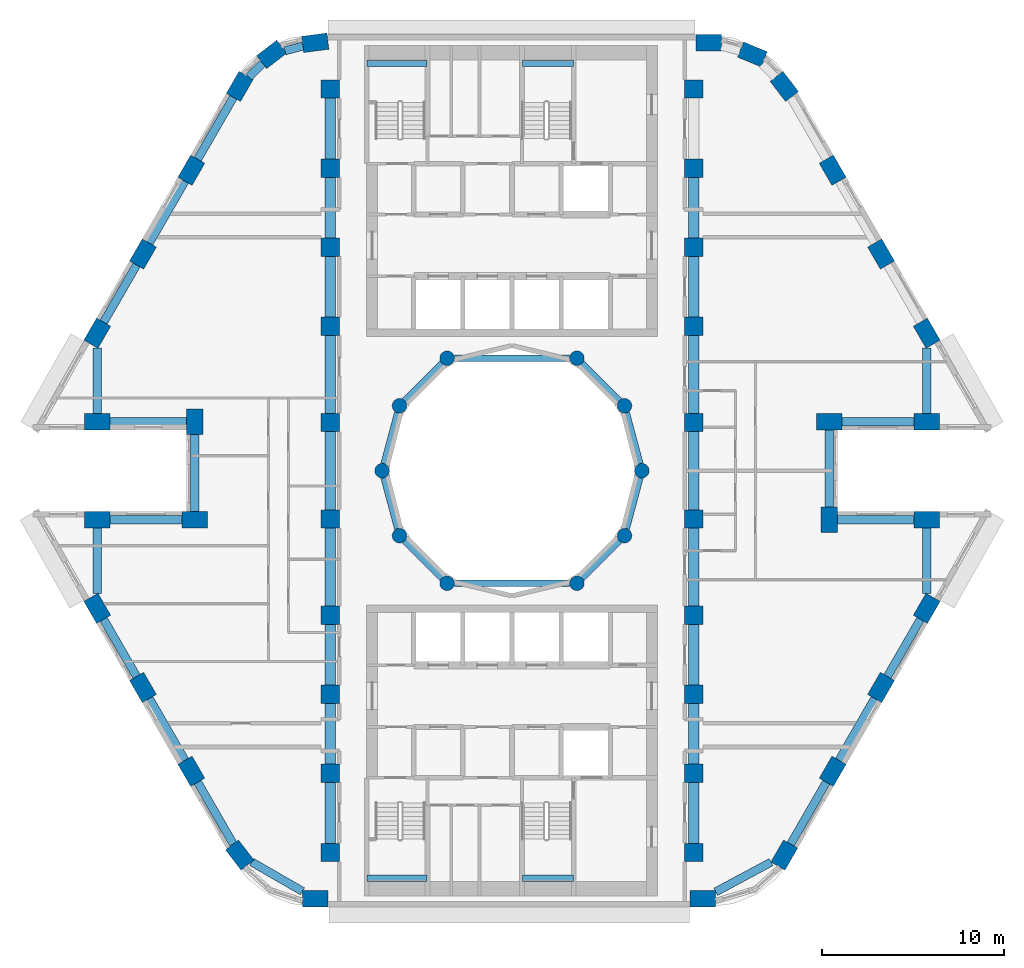
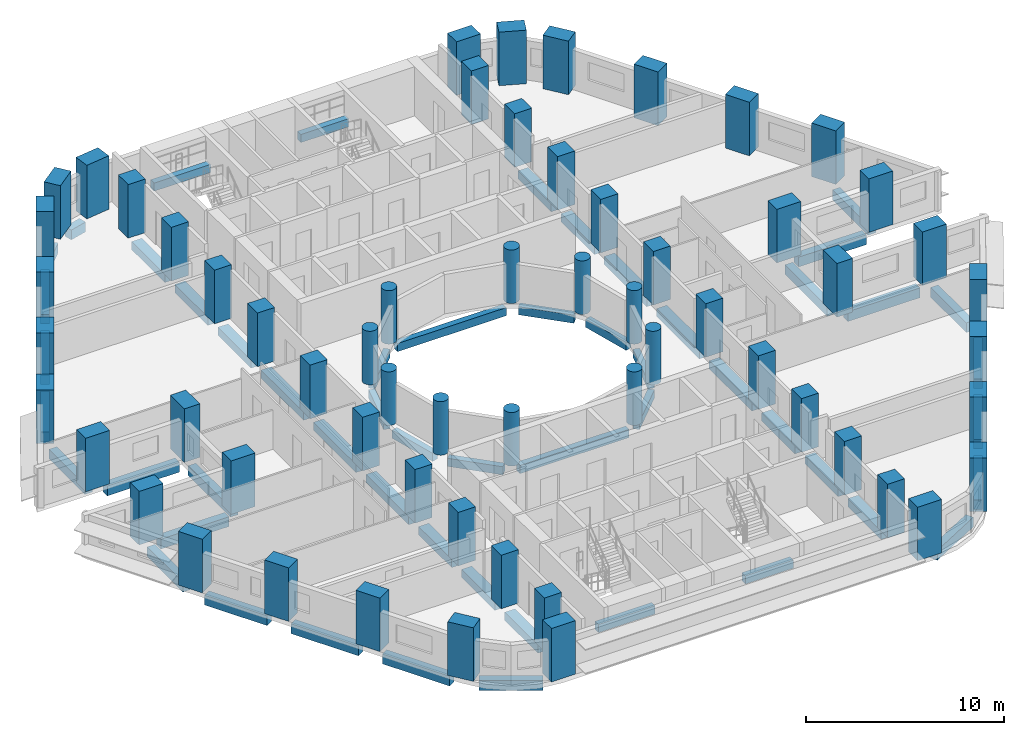
# One storey, part 1 of 12: 60 columns, 54 beams.
"""IFC4 building model written with IfcOpenShell, lengths in metres."""

from ifc_helpers import new_model, si_unit, direction, frame, origin, origin_2d, place, context, subcontext, project, spatial, rectangle, circle, extrude, material, material_profile, profile_set, type_object, element, save


model = new_model("IFC4")

# Units and contexts
model_context = context("Model", 3, precision=1e-05, world=origin(), true_north=direction((0.0, 1.0)))
body_context = subcontext(model_context, "Body", "Model", "MODEL_VIEW")
ifc_project = project(units=[si_unit("LENGTHUNIT", "METRE"), si_unit("AREAUNIT", "SQUARE_METRE"), si_unit("VOLUMEUNIT", "CUBIC_METRE"), si_unit("PLANEANGLEUNIT", "RADIAN"), si_unit("MASSUNIT", "GRAM", prefix="KILO")], contexts=[model_context])

# Site, building, storey
site_placement = place(None, origin())
site = spatial("IfcSite", under=ifc_project, at=site_placement, CompositionType="ELEMENT")
building_placement = place(site_placement, origin())
building = spatial("IfcBuilding", under=site, at=building_placement, Name="Nakaniwa Court", CompositionType="ELEMENT")
storey_placement = place(building_placement, frame((0.0, 0.0, 94.199951171875)))
storey = spatial("IfcBuildingStorey", under=building, at=storey_placement, Name="L24", CompositionType="ELEMENT", Elevation=94.199951171875)

# Columns
ifc_material = material(Name="Concrete C80/100", Category="concrete")
ifc_material_profile_1 = material_profile(ifc_material, rectangle(XDim=1.0, YDim=1.0, at=origin_2d()), Name="Concrete C80/100 RC 1000x1000 spine column")
ifc_profile_set_1 = profile_set([ifc_material_profile_1], Name="Concrete C80/100")
column_type_1 = type_object("IfcColumnType", Name="Concrete C80/100 RC 1000x1000 spine column", PredefinedType="COLUMN", material=ifc_profile_set_1)
for number, where, z_axis, x_axis, name in (
    (1, (90.0, 59.0, 0.0), (0.0, 0.0, 1.0), (0.0, 1.0, 0.0), "COLUMN CS-01"),
    (2, (90.0, 63.35009765625, 0.0), (0.0, 0.0, 1.0), (0.0, 1.0, 0.0), "COLUMN CS-02"),
    (3, (90.0, 67.699951171875, 0.0), (0.0, 0.0, 1.0), (0.0, 1.0, 0.0), "COLUMN CS-03"),
    (4, (90.0, 72.050048828125, 0.0), (0.0, 0.0, 1.0), (0.0, 1.0, 0.0), "COLUMN CS-04"),
    (5, (90.0, 77.35009765625, 0.0), (0.0, 0.0, 1.0), (0.0, 1.0, 0.0), "COLUMN CS-05"),
    (6, (90.0, 82.64990234375, 0.0), (0.0, 0.0, 1.0), (0.0, 1.0, 0.0), "COLUMN CS-06"),
    (7, (90.0, 87.949951171875, 0.0), (0.0, 0.0, 1.0), (0.0, 1.0, 0.0), "COLUMN CS-07"),
    (8, (90.0, 92.300048828125, 0.0), (0.0, 0.0, 1.0), (0.0, 1.0, 0.0), "COLUMN CS-08"),
    (9, (90.0, 96.64990234375, 0.0), (0.0, 0.0, 1.0), (0.0, 1.0, 0.0), "COLUMN CS-09"),
    (10, (90.0, 101.0, 0.0), (0.0, 0.0, 1.0), (0.0, 1.0, 0.0), "COLUMN CS-10"),
    (11, (70.0, 101.0, 0.0), (0.0, 0.0, 1.0), (0.0, -1.0, 0.0), "COLUMN CS-11"),
    (12, (70.0, 96.64990234375, 0.0), (0.0, 0.0, 1.0), (0.0, -1.0, 0.0), "COLUMN CS-12"),
    (13, (70.0, 92.300048828125, 0.0), (0.0, 0.0, 1.0), (0.0, -1.0, 0.0), "COLUMN CS-13"),
    (14, (70.0, 87.949951171875, 0.0), (0.0, 0.0, 1.0), (0.0, -1.0, 0.0), "COLUMN CS-14"),
    (15, (70.0, 82.64990234375, 0.0), (0.0, 0.0, 1.0), (0.0, -1.0, 0.0), "COLUMN CS-15"),
    (16, (70.0, 77.35009765625, 0.0), (0.0, 0.0, 1.0), (0.0, -1.0, 0.0), "COLUMN CS-16"),
    (17, (70.0, 72.050048828125, 0.0), (0.0, 0.0, 1.0), (0.0, -1.0, 0.0), "COLUMN CS-17"),
    (18, (70.0, 67.699951171875, 0.0), (0.0, 0.0, 1.0), (0.0, -1.0, 0.0), "COLUMN CS-18"),
    (19, (70.0, 63.35009765625, 0.0), (0.0, 0.0, 1.0), (0.0, -1.0, 0.0), "COLUMN CS-19"),
    (20, (70.0, 59.0, 0.0), (0.0, 0.0, 1.0), (0.0, -1.0, 0.0), "COLUMN CS-20"),
):
    element("IfcColumn", number, at=place(storey_placement, frame(where, z_axis=z_axis, x_axis=x_axis)), inside=storey, type_object=column_type_1, Name=name, PredefinedType="COLUMN", context=body_context, shape_type="SweptSolid", body=[
        extrude(rectangle(XDim=1.0, YDim=1.0, at=origin_2d()), origin(), (0.0, 0.0, 1.0), 3.300048828125),
    ])
ifc_material_profile_2 = material_profile(ifc_material, rectangle(XDim=1.39990234375, YDim=0.89990234375, at=origin_2d()), Name="Concrete C80/100 RC 1400x900 perimeter column")
ifc_profile_set_2 = profile_set([ifc_material_profile_2], Name="Concrete C80/100")
column_type_2 = type_object("IfcColumnType", Name="Concrete C80/100 RC 1400x900 perimeter column", PredefinedType="COLUMN", material=ifc_profile_set_2)
for number, where, z_axis, x_axis, name in (
    (21, (69.17529296875, 103.550048828125, 0.0), (0.0, 0.0, 1.0), (-0.991442583111, -0.130543496177, 0.0), "COLUMN CO-01"),
    (22, (66.772705078125, 102.91015625, 0.0), (0.0, 0.0, 1.0), (-0.793363965062, -0.608747582288, 0.0), "COLUMN CO-02"),
    (23, (65.017578125, 101.1494140625, 0.0), (0.0, 0.0, 1.0), (-0.5, -0.866025403784, 0.0), "COLUMN CO-03"),
    (24, (62.3544921875, 96.537109375, 0.0), (0.0, 0.0, 1.0), (-0.5, -0.866025403784, 0.0), "COLUMN CO-04"),
    (25, (59.691650390625, 91.9248046875, 0.0), (0.0, 0.0, 1.0), (-0.5, -0.866025403784, 0.0), "COLUMN CO-05"),
    (26, (57.177001953125, 87.569580078125, 0.0), (0.0, 0.0, 1.0), (-0.5, -0.866025403784, 0.0), "COLUMN CO-06"),
    (27, (57.177001953125, 82.699951171875, 0.0), (0.0, 0.0, 1.0), (1.0, 0.0, 0.0), "COLUMN CO-08"),
    (28, (62.54150390625, 82.699951171875, 0.0), (0.0, 0.0, 1.0), (0.0, -1.0, 0.0), "COLUMN CO-09"),
    (29, (62.54150390625, 77.300048828125, 0.0), (0.0, 0.0, 1.0), (-1.0, 0.0, 0.0), "COLUMN CO-10"),
    (30, (57.177001953125, 77.300048828125, 0.0), (0.0, 0.0, 1.0), (-1.0, 0.0, 0.0), "COLUMN CO-11"),
    (31, (57.177001953125, 72.430419921875, 0.0), (0.0, 0.0, 1.0), (0.5, -0.866025403784, 0.0), "COLUMN CO-13"),
    (32, (59.691650390625, 68.0751953125, 0.0), (0.0, 0.0, 1.0), (0.5, -0.866025403784, 0.0), "COLUMN CO-14"),
    (33, (62.3544921875, 63.462890625, 0.0), (0.0, 0.0, 1.0), (0.5, -0.866025403784, 0.0), "COLUMN CO-15"),
    (34, (65.017578125, 58.8505859375, 0.0), (0.0, 0.0, 1.0), (0.608761429009, -0.793353340291, 0.0), "COLUMN CO-16"),
    (35, (69.17529296875, 56.449951171875, 0.0), (0.0, 0.0, 1.0), (1.0, 0.0, 0.0), "COLUMN CO-17"),
    (36, (90.507080078125, 56.449951171875, 0.0), (0.0, 0.0, 1.0), (1.0, 0.0, 0.0), "COLUMN CO-21"),
    (37, (94.982421875, 58.8505859375, 0.0), (0.0, 0.0, 1.0), (0.5, 0.866025403784, 0.0), "COLUMN CO-22"),
    (38, (97.6455078125, 63.462890625, 0.0), (0.0, 0.0, 1.0), (0.5, 0.866025403784, 0.0), "COLUMN CO-23"),
    (39, (100.308349609375, 68.0751953125, 0.0), (0.0, 0.0, 1.0), (0.5, 0.866025403784, 0.0), "COLUMN CO-24"),
    (40, (102.822998046875, 72.430419921875, 0.0), (0.0, 0.0, 1.0), (0.5, 0.866025403784, 0.0), "COLUMN CO-25"),
    (41, (102.822998046875, 77.300048828125, 0.0), (0.0, 0.0, 1.0), (-1.0, 0.0, 0.0), "COLUMN CO-27"),
    (42, (97.45849609375, 77.300048828125, 0.0), (0.0, 0.0, 1.0), (0.0, 1.0, 0.0), "COLUMN CO-28"),
    (43, (97.45849609375, 82.699951171875, 0.0), (0.0, 0.0, 1.0), (1.0, 0.0, 0.0), "COLUMN CO-29"),
    (44, (102.822998046875, 82.699951171875, 0.0), (0.0, 0.0, 1.0), (1.0, 0.0, 0.0), "COLUMN CO-30"),
    (45, (102.822998046875, 87.569580078125, 0.0), (0.0, 0.0, 1.0), (-0.5, 0.866025403784, 0.0), "COLUMN CO-32"),
    (46, (100.308349609375, 91.9248046875, 0.0), (0.0, 0.0, 1.0), (-0.5, 0.866025403784, 0.0), "COLUMN CO-33"),
    (47, (97.6455078125, 96.537109375, 0.0), (0.0, 0.0, 1.0), (-0.5, 0.866025403784, 0.0), "COLUMN CO-34"),
    (48, (94.982421875, 101.1494140625, 0.0), (0.0, 0.0, 1.0), (-0.608761429009, 0.793353340291, 0.0), "COLUMN CO-35"),
    (49, (93.227294921875, 102.91015625, 0.0), (0.0, 0.0, 1.0), (-0.923879532511, 0.382683432365, 0.0), "COLUMN CO-36"),
    (50, (90.82470703125, 103.550048828125, 0.0), (0.0, 0.0, 1.0), (-1.0, 0.0, 0.0), "COLUMN CO-37"),
):
    element("IfcColumn", number, at=place(storey_placement, frame(where, z_axis=z_axis, x_axis=x_axis)), inside=storey, type_object=column_type_2, Name=name, PredefinedType="COLUMN", context=body_context, shape_type="SweptSolid", body=[
        extrude(rectangle(XDim=1.39990234375, YDim=0.89990234375, at=origin_2d()), origin(), (0.0, 0.0, 1.0), 3.300048828125),
    ])
ifc_material_profile_3 = material_profile(ifc_material, circle(Radius=0.39990234375, at=origin_2d()), Name="Concrete C80/100 RC D800 inner ring column")
ifc_profile_set_3 = profile_set([ifc_material_profile_3], Name="Concrete C80/100")
column_type_3 = type_object("IfcColumnType", Name="Concrete C80/100 RC D800 inner ring column", PredefinedType="COLUMN", material=ifc_profile_set_3)
for number, where, z_axis, x_axis, name in (
    (51, (87.14990234375, 80.0, 0.0), (0.0, 0.0, 1.0), (0.0, 1.0, 0.0), "COLUMN CI-01"),
    (52, (86.192138671875, 83.574951171875, 0.0), (0.0, 0.0, 1.0), (-0.5, 0.866025403784, 0.0), "COLUMN CI-02"),
    (53, (83.574951171875, 86.192138671875, 0.0), (0.0, 0.0, 1.0), (-0.866025403784, 0.5, 0.0), "COLUMN CI-03"),
    (54, (76.425048828125, 86.192138671875, 0.0), (0.0, 0.0, 1.0), (-0.866025403784, -0.5, 0.0), "COLUMN CI-05"),
    (55, (73.807861328125, 83.574951171875, 0.0), (0.0, 0.0, 1.0), (-0.5, -0.866025403784, 0.0), "COLUMN CI-06"),
    (56, (72.85009765625, 80.0, 0.0), (0.0, 0.0, 1.0), (0.0, -1.0, 0.0), "COLUMN CI-07"),
    (57, (73.807861328125, 76.425048828125, 0.0), (0.0, 0.0, 1.0), (0.5, -0.866025403784, 0.0), "COLUMN CI-08"),
    (58, (76.425048828125, 73.807861328125, 0.0), (0.0, 0.0, 1.0), (0.866025403784, -0.5, 0.0), "COLUMN CI-09"),
    (59, (83.574951171875, 73.807861328125, 0.0), (0.0, 0.0, 1.0), (0.866025403784, 0.5, 0.0), "COLUMN CI-11"),
    (60, (86.192138671875, 76.425048828125, 0.0), (0.0, 0.0, 1.0), (0.5, 0.866025403784, 0.0), "COLUMN CI-12"),
):
    element("IfcColumn", number, at=place(storey_placement, frame(where, z_axis=z_axis, x_axis=x_axis)), inside=storey, type_object=column_type_3, Name=name, PredefinedType="COLUMN", context=body_context, shape_type="SweptSolid", body=[
        extrude(circle(Radius=0.39990234375, at=origin_2d()), origin(), (0.0, 0.0, 1.0), 3.300048828125),
    ])

# Beams
ifc_material_profile_4 = material_profile(ifc_material, rectangle(XDim=0.35009765625, YDim=0.5, at=origin_2d()), Name="Concrete C80/100 RC 350x500 landing ledge beam")
ifc_profile_set_4 = profile_set([ifc_material_profile_4], Name="Concrete C80/100")
beam_type_1 = type_object("IfcBeamType", Name="Concrete C80/100 RC 350x500 landing ledge beam", PredefinedType="BEAM", material=ifc_profile_set_4)
beam_1_placement = place(storey_placement, frame((72.02490234375, 102.425048828125, 1.199951171875), z_axis=(1.0, 0.0, 0.0), x_axis=(0.0, 1.0, 0.0)))
element("IfcBeam", 61, at=beam_1_placement, inside=storey, type_object=beam_type_1, Name="LANDING LEDGE BEAM", PredefinedType="BEAM", context=body_context, shape_type="SweptSolid", body=[
    extrude(rectangle(XDim=0.35009765625, YDim=0.5, at=origin_2d()), origin(), (0.0, 0.0, 1.0), 3.300048828125),
])
beam_2_placement = place(storey_placement, frame((80.574951171875, 102.425048828125, 1.199951171875), z_axis=(1.0, 0.0, 0.0), x_axis=(0.0, 1.0, 0.0)))
element("IfcBeam", 62, at=beam_2_placement, inside=storey, type_object=beam_type_1, Name="LANDING LEDGE BEAM", PredefinedType="BEAM", context=body_context, shape_type="SweptSolid", body=[
    extrude(rectangle(XDim=0.35009765625, YDim=0.5, at=origin_2d()), origin(), (0.0, 0.0, 1.0), 2.800048828125),
])
beam_3_placement = place(storey_placement, frame((72.02490234375, 57.574951171875, 1.199951171875), z_axis=(1.0, 0.0, 0.0), x_axis=(0.0, 1.0, 0.0)))
element("IfcBeam", 63, at=beam_3_placement, inside=storey, type_object=beam_type_1, Name="LANDING LEDGE BEAM", PredefinedType="BEAM", context=body_context, shape_type="SweptSolid", body=[
    extrude(rectangle(XDim=0.35009765625, YDim=0.5, at=origin_2d()), origin(), (0.0, 0.0, 1.0), 3.300048828125),
])
beam_4_placement = place(storey_placement, frame((80.574951171875, 57.574951171875, 1.199951171875), z_axis=(1.0, 0.0, 0.0), x_axis=(0.0, 1.0, 0.0)))
element("IfcBeam", 64, at=beam_4_placement, inside=storey, type_object=beam_type_1, Name="LANDING LEDGE BEAM", PredefinedType="BEAM", context=body_context, shape_type="SweptSolid", body=[
    extrude(rectangle(XDim=0.35009765625, YDim=0.5, at=origin_2d()), origin(), (0.0, 0.0, 1.0), 2.800048828125),
])
ifc_material_profile_5 = material_profile(ifc_material, rectangle(XDim=0.35009765625, YDim=0.5, at=origin_2d()), Name="Concrete C80/100 RC 350x500 ring beam")
ifc_profile_set_5 = profile_set([ifc_material_profile_5], Name="Concrete C80/100")
beam_type_2 = type_object("IfcBeamType", Name="Concrete C80/100 RC 350x500 ring beam", PredefinedType="BEAM", material=ifc_profile_set_5)
beam_5_placement = place(storey_placement, frame((87.04638671875, 80.386474609375, -0.52490234375), z_axis=(-0.258778150207, 0.965936783115, 0.0), x_axis=(-0.965936783115, -0.258778150207, 0.0)))
element("IfcBeam", 65, at=beam_5_placement, inside=storey, type_object=beam_type_2, Name="RING BEAM", PredefinedType="BEAM", context=body_context, shape_type="SweptSolid", body=[
    extrude(rectangle(XDim=0.35009765625, YDim=0.5, at=origin_2d()), origin(), (0.0, 0.0, 1.0), 2.901123046875),
])
beam_6_placement = place(storey_placement, frame((85.9091796875, 83.85791015625, -0.52490234375), z_axis=(-0.707106781187, 0.707106781187, 0.0), x_axis=(-0.707106781187, -0.707106781187, 0.0)))
element("IfcBeam", 66, at=beam_6_placement, inside=storey, type_object=beam_type_2, Name="RING BEAM", PredefinedType="BEAM", context=body_context, shape_type="SweptSolid", body=[
    extrude(rectangle(XDim=0.35009765625, YDim=0.5, at=origin_2d()), origin(), (0.0, 0.0, 1.0), 2.90087890625),
])
beam_7_placement = place(storey_placement, frame((83.175048828125, 86.192138671875, -0.52490234375), z_axis=(-1.0, 0.0, 0.0), x_axis=(0.0, -1.0, 0.0)))
element("IfcBeam", 67, at=beam_7_placement, inside=storey, type_object=beam_type_2, Name="RING BEAM", PredefinedType="BEAM", context=body_context, shape_type="SweptSolid", body=[
    extrude(rectangle(XDim=0.35009765625, YDim=0.5, at=origin_2d()), origin(), (0.0, 0.0, 1.0), 6.35009765625),
])
beam_8_placement = place(storey_placement, frame((76.14208984375, 85.9091796875, -0.52490234375), z_axis=(-0.707106781187, -0.707106781187, 0.0), x_axis=(0.707106781187, -0.707106781187, 0.0)))
element("IfcBeam", 68, at=beam_8_placement, inside=storey, type_object=beam_type_2, Name="RING BEAM", PredefinedType="BEAM", context=body_context, shape_type="SweptSolid", body=[
    extrude(rectangle(XDim=0.35009765625, YDim=0.5, at=origin_2d()), origin(), (0.0, 0.0, 1.0), 2.90087890625),
])
for number, where, z_axis, x_axis, name in (
    (69, (73.704345703125, 83.188720703125, -0.52490234375), (-0.258778150207, -0.965936783115, 0.0), (0.965936783115, -0.258778150207, 0.0), "RING BEAM"),
    (70, (72.95361328125, 79.613525390625, -0.52490234375), (0.258778150207, -0.965936783115, 0.0), (0.965936783115, 0.258778150207, 0.0), "RING BEAM"),
):
    element("IfcBeam", number, at=place(storey_placement, frame(where, z_axis=z_axis, x_axis=x_axis)), inside=storey, type_object=beam_type_2, Name=name, PredefinedType="BEAM", context=body_context, shape_type="SweptSolid", body=[
        extrude(rectangle(XDim=0.35009765625, YDim=0.5, at=origin_2d()), origin(), (0.0, 0.0, 1.0), 2.901123046875),
    ])
beam_9_placement = place(storey_placement, frame((74.0908203125, 76.14208984375, -0.52490234375), z_axis=(0.707106781187, -0.707106781187, 0.0), x_axis=(0.707106781187, 0.707106781187, 0.0)))
element("IfcBeam", 71, at=beam_9_placement, inside=storey, type_object=beam_type_2, Name="RING BEAM", PredefinedType="BEAM", context=body_context, shape_type="SweptSolid", body=[
    extrude(rectangle(XDim=0.35009765625, YDim=0.5, at=origin_2d()), origin(), (0.0, 0.0, 1.0), 2.90087890625),
])
beam_10_placement = place(storey_placement, frame((76.824951171875, 73.807861328125, -0.52490234375), z_axis=(1.0, 0.0, 0.0), x_axis=(0.0, 1.0, 0.0)))
element("IfcBeam", 72, at=beam_10_placement, inside=storey, type_object=beam_type_2, Name="RING BEAM", PredefinedType="BEAM", context=body_context, shape_type="SweptSolid", body=[
    extrude(rectangle(XDim=0.35009765625, YDim=0.5, at=origin_2d()), origin(), (0.0, 0.0, 1.0), 6.35009765625),
])
beam_11_placement = place(storey_placement, frame((83.85791015625, 74.0908203125, -0.52490234375), z_axis=(0.707106781187, 0.707106781187, 0.0), x_axis=(-0.707106781187, 0.707106781187, 0.0)))
element("IfcBeam", 73, at=beam_11_placement, inside=storey, type_object=beam_type_2, Name="RING BEAM", PredefinedType="BEAM", context=body_context, shape_type="SweptSolid", body=[
    extrude(rectangle(XDim=0.35009765625, YDim=0.5, at=origin_2d()), origin(), (0.0, 0.0, 1.0), 2.90087890625),
])
beam_12_placement = place(storey_placement, frame((86.295654296875, 76.811279296875, -0.52490234375), z_axis=(0.258778150207, 0.965936783115, 0.0), x_axis=(-0.965936783115, 0.258778150207, 0.0)))
element("IfcBeam", 74, at=beam_12_placement, inside=storey, type_object=beam_type_2, Name="RING BEAM", PredefinedType="BEAM", context=body_context, shape_type="SweptSolid", body=[
    extrude(rectangle(XDim=0.35009765625, YDim=0.5, at=origin_2d()), origin(), (0.0, 0.0, 1.0), 2.901123046875),
])
ifc_material_profile_6 = material_profile(ifc_material, rectangle(XDim=0.449951171875, YDim=0.60009765625, at=origin_2d()), Name="Concrete C80/100 RC 450x600 spandrel beam")
ifc_profile_set_6 = profile_set([ifc_material_profile_6], Name="Concrete C80/100")
beam_type_3 = type_object("IfcBeamType", Name="Concrete C80/100 RC 450x600 spandrel beam", PredefinedType="BEAM", material=ifc_profile_set_6)
beam_13_placement = place(storey_placement, frame((68.4931640625, 103.368408203125, -0.574951171875), z_axis=(-0.966290412053, -0.257454538851, 0.0), x_axis=(0.257454538851, -0.966290412053, 0.0)))
element("IfcBeam", 75, at=beam_13_placement, inside=storey, type_object=beam_type_3, Name="SPANDREL BEAM", PredefinedType="BEAM", context=body_context, shape_type="SweptSolid", body=[
    extrude(rectangle(XDim=0.449951171875, YDim=0.60009765625, at=origin_2d()), origin(), (0.0, 0.0, 1.0), 1.022216796875),
])
beam_14_placement = place(storey_placement, frame((66.274169921875, 102.41015625, -0.574951171875), z_axis=(-0.70606530329, -0.708146727374, 0.0), x_axis=(0.708146727374, -0.70606530329, 0.0)))
element("IfcBeam", 76, at=beam_14_placement, inside=storey, type_object=beam_type_3, Name="SPANDREL BEAM", PredefinedType="BEAM", context=body_context, shape_type="SweptSolid", body=[
    extrude(rectangle(XDim=0.449951171875, YDim=0.60009765625, at=origin_2d()), origin(), (0.0, 0.0, 1.0), 1.0556640625),
])
for number, where, z_axis, x_axis, name in (
    (77, (64.66748046875, 100.543212890625, -0.574951171875), (-0.49999161165, -0.866030246746, 0.0), (0.866030246746, -0.49999161165, 0.0), "SPANDREL BEAM"),
    (78, (62.00439453125, 95.930908203125, -0.574951171875), (-0.49999161165, -0.866030246746, 0.0), (0.866030246746, -0.49999161165, 0.0), "SPANDREL BEAM"),
):
    element("IfcBeam", number, at=place(storey_placement, frame(where, z_axis=z_axis, x_axis=x_axis)), inside=storey, type_object=beam_type_3, Name=name, PredefinedType="BEAM", context=body_context, shape_type="SweptSolid", body=[
        extrude(rectangle(XDim=0.449951171875, YDim=0.60009765625, at=origin_2d()), origin(), (0.0, 0.0, 1.0), 3.92578125),
    ])
beam_15_placement = place(storey_placement, frame((59.341552734375, 91.318603515625, -0.574951171875), z_axis=(-0.499988394233, -0.866032104273, 0.0), x_axis=(0.866032104273, -0.499988394233, 0.0)))
element("IfcBeam", 79, at=beam_15_placement, inside=storey, type_object=beam_type_3, Name="SPANDREL BEAM", PredefinedType="BEAM", context=body_context, shape_type="SweptSolid", body=[
    extrude(rectangle(XDim=0.449951171875, YDim=0.60009765625, at=origin_2d()), origin(), (0.0, 0.0, 1.0), 3.62890625),
])
beam_16_placement = place(storey_placement, frame((57.177001953125, 86.761474609375, -0.574951171875), z_axis=(0.0, -1.0, 0.0), x_axis=(1.0, 0.0, 0.0)))
element("IfcBeam", 80, at=beam_16_placement, inside=storey, type_object=beam_type_3, Name="SPANDREL BEAM", PredefinedType="BEAM", context=body_context, shape_type="SweptSolid", body=[
    extrude(rectangle(XDim=0.449951171875, YDim=0.60009765625, at=origin_2d()), origin(), (0.0, 0.0, 1.0), 3.611572265625),
])
beam_17_placement = place(storey_placement, frame((57.877197265625, 82.699951171875, -0.574951171875), z_axis=(1.0, 0.0, 0.0), x_axis=(0.0, 1.0, 0.0)))
element("IfcBeam", 81, at=beam_17_placement, inside=storey, type_object=beam_type_3, Name="SPANDREL BEAM", PredefinedType="BEAM", context=body_context, shape_type="SweptSolid", body=[
    extrude(rectangle(XDim=0.449951171875, YDim=0.60009765625, at=origin_2d()), origin(), (0.0, 0.0, 1.0), 4.21435546875),
])
beam_18_placement = place(storey_placement, frame((62.54150390625, 82.0, -0.574951171875), z_axis=(0.0, -1.0, 0.0), x_axis=(1.0, 0.0, 0.0)))
element("IfcBeam", 82, at=beam_18_placement, inside=storey, type_object=beam_type_3, Name="SPANDREL BEAM", PredefinedType="BEAM", context=body_context, shape_type="SweptSolid", body=[
    extrude(rectangle(XDim=0.449951171875, YDim=0.60009765625, at=origin_2d()), origin(), (0.0, 0.0, 1.0), 4.25),
])
beam_19_placement = place(storey_placement, frame((61.841552734375, 77.300048828125, -0.574951171875), z_axis=(-1.0, 0.0, 0.0), x_axis=(0.0, -1.0, 0.0)))
element("IfcBeam", 83, at=beam_19_placement, inside=storey, type_object=beam_type_3, Name="SPANDREL BEAM", PredefinedType="BEAM", context=body_context, shape_type="SweptSolid", body=[
    extrude(rectangle(XDim=0.449951171875, YDim=0.60009765625, at=origin_2d()), origin(), (0.0, 0.0, 1.0), 3.96435546875),
])
beam_20_placement = place(storey_placement, frame((57.177001953125, 76.85009765625, -0.574951171875), z_axis=(0.0, -1.0, 0.0), x_axis=(1.0, 0.0, 0.0)))
element("IfcBeam", 84, at=beam_20_placement, inside=storey, type_object=beam_type_3, Name="SPANDREL BEAM", PredefinedType="BEAM", context=body_context, shape_type="SweptSolid", body=[
    extrude(rectangle(XDim=0.449951171875, YDim=0.60009765625, at=origin_2d()), origin(), (0.0, 0.0, 1.0), 3.611572265625),
])
beam_21_placement = place(storey_placement, frame((57.527099609375, 71.82421875, -0.574951171875), z_axis=(0.499988394233, -0.866032104273, 0.0), x_axis=(0.866032104273, 0.499988394233, 0.0)))
element("IfcBeam", 85, at=beam_21_placement, inside=storey, type_object=beam_type_3, Name="SPANDREL BEAM", PredefinedType="BEAM", context=body_context, shape_type="SweptSolid", body=[
    extrude(rectangle(XDim=0.449951171875, YDim=0.60009765625, at=origin_2d()), origin(), (0.0, 0.0, 1.0), 3.62890625),
])
beam_22_placement = place(storey_placement, frame((60.04150390625, 67.468994140625, -0.574951171875), z_axis=(0.49999161165, -0.866030246746, 0.0), x_axis=(0.866030246746, 0.49999161165, 0.0)))
element("IfcBeam", 86, at=beam_22_placement, inside=storey, type_object=beam_type_3, Name="SPANDREL BEAM", PredefinedType="BEAM", context=body_context, shape_type="SweptSolid", body=[
    extrude(rectangle(XDim=0.449951171875, YDim=0.60009765625, at=origin_2d()), origin(), (0.0, 0.0, 1.0), 3.92578125),
])
beam_23_placement = place(storey_placement, frame((62.70458984375, 62.856689453125, -0.574951171875), z_axis=(0.499997407846, -0.86602690036, 0.0), x_axis=(0.86602690036, 0.499997407846, 0.0)))
element("IfcBeam", 87, at=beam_23_placement, inside=storey, type_object=beam_type_3, Name="SPANDREL BEAM", PredefinedType="BEAM", context=body_context, shape_type="SweptSolid", body=[
    extrude(rectangle(XDim=0.449951171875, YDim=0.60009765625, at=origin_2d()), origin(), (0.0, 0.0, 1.0), 3.919921875),
])
beam_24_placement = place(storey_placement, frame((65.673583984375, 58.4716796875, -0.574951171875), z_axis=(0.866014675542, -0.5000185814, 0.0), x_axis=(0.5000185814, 0.866014675542, 0.0)))
element("IfcBeam", 88, at=beam_24_placement, inside=storey, type_object=beam_type_3, Name="SPANDREL BEAM", PredefinedType="BEAM", context=body_context, shape_type="SweptSolid", body=[
    extrude(rectangle(XDim=0.449951171875, YDim=0.60009765625, at=origin_2d()), origin(), (0.0, 0.0, 1.0), 3.2353515625),
])
beam_25_placement = place(storey_placement, frame((91.20703125, 56.825439453125, -0.574951171875), z_axis=(0.881233381314, 0.472681423009, 0.0), x_axis=(-0.472681423009, 0.881233381314, 0.0)))
element("IfcBeam", 89, at=beam_25_placement, inside=storey, type_object=beam_type_3, Name="SPANDREL BEAM", PredefinedType="BEAM", context=body_context, shape_type="SweptSolid", body=[
    extrude(rectangle(XDim=0.449951171875, YDim=0.60009765625, at=origin_2d()), origin(), (0.0, 0.0, 1.0), 3.46044921875),
])
for number, where, z_axis, x_axis, name in (
    (90, (95.33251953125, 59.456787109375, -0.574951171875), (0.49999161165, 0.866030246746, 0.0), (-0.866030246746, 0.49999161165, 0.0), "SPANDREL BEAM"),
    (91, (97.99560546875, 64.069091796875, -0.574951171875), (0.49999161165, 0.866030246746, 0.0), (-0.866030246746, 0.49999161165, 0.0), "SPANDREL BEAM"),
):
    element("IfcBeam", number, at=place(storey_placement, frame(where, z_axis=z_axis, x_axis=x_axis)), inside=storey, type_object=beam_type_3, Name=name, PredefinedType="BEAM", context=body_context, shape_type="SweptSolid", body=[
        extrude(rectangle(XDim=0.449951171875, YDim=0.60009765625, at=origin_2d()), origin(), (0.0, 0.0, 1.0), 3.92578125),
    ])
beam_26_placement = place(storey_placement, frame((100.658447265625, 68.681396484375, -0.574951171875), z_axis=(0.499988394233, 0.866032104273, 0.0), x_axis=(-0.866032104273, 0.499988394233, 0.0)))
element("IfcBeam", 92, at=beam_26_placement, inside=storey, type_object=beam_type_3, Name="SPANDREL BEAM", PredefinedType="BEAM", context=body_context, shape_type="SweptSolid", body=[
    extrude(rectangle(XDim=0.449951171875, YDim=0.60009765625, at=origin_2d()), origin(), (0.0, 0.0, 1.0), 3.62890625),
])
beam_27_placement = place(storey_placement, frame((102.822998046875, 73.238525390625, -0.574951171875), z_axis=(0.0, 1.0, 0.0), x_axis=(-1.0, 0.0, 0.0)))
element("IfcBeam", 93, at=beam_27_placement, inside=storey, type_object=beam_type_3, Name="SPANDREL BEAM", PredefinedType="BEAM", context=body_context, shape_type="SweptSolid", body=[
    extrude(rectangle(XDim=0.449951171875, YDim=0.60009765625, at=origin_2d()), origin(), (0.0, 0.0, 1.0), 3.611572265625),
])
beam_28_placement = place(storey_placement, frame((102.122802734375, 77.300048828125, -0.574951171875), z_axis=(-1.0, 0.0, 0.0), x_axis=(0.0, -1.0, 0.0)))
element("IfcBeam", 94, at=beam_28_placement, inside=storey, type_object=beam_type_3, Name="SPANDREL BEAM", PredefinedType="BEAM", context=body_context, shape_type="SweptSolid", body=[
    extrude(rectangle(XDim=0.449951171875, YDim=0.60009765625, at=origin_2d()), origin(), (0.0, 0.0, 1.0), 4.21435546875),
])
beam_29_placement = place(storey_placement, frame((97.45849609375, 78.0, -0.574951171875), z_axis=(0.0, 1.0, 0.0), x_axis=(-1.0, 0.0, 0.0)))
element("IfcBeam", 95, at=beam_29_placement, inside=storey, type_object=beam_type_3, Name="SPANDREL BEAM", PredefinedType="BEAM", context=body_context, shape_type="SweptSolid", body=[
    extrude(rectangle(XDim=0.449951171875, YDim=0.60009765625, at=origin_2d()), origin(), (0.0, 0.0, 1.0), 4.25),
])
beam_30_placement = place(storey_placement, frame((98.158447265625, 82.699951171875, -0.574951171875), z_axis=(1.0, 0.0, 0.0), x_axis=(0.0, 1.0, 0.0)))
element("IfcBeam", 96, at=beam_30_placement, inside=storey, type_object=beam_type_3, Name="SPANDREL BEAM", PredefinedType="BEAM", context=body_context, shape_type="SweptSolid", body=[
    extrude(rectangle(XDim=0.449951171875, YDim=0.60009765625, at=origin_2d()), origin(), (0.0, 0.0, 1.0), 3.96435546875),
])
beam_31_placement = place(storey_placement, frame((102.822998046875, 83.14990234375, -0.574951171875), z_axis=(0.0, 1.0, 0.0), x_axis=(-1.0, 0.0, 0.0)))
element("IfcBeam", 97, at=beam_31_placement, inside=storey, type_object=beam_type_3, Name="SPANDREL BEAM", PredefinedType="BEAM", context=body_context, shape_type="SweptSolid", body=[
    extrude(rectangle(XDim=0.449951171875, YDim=0.60009765625, at=origin_2d()), origin(), (0.0, 0.0, 1.0), 3.611572265625),
])
ifc_material_profile_7 = material_profile(ifc_material, rectangle(XDim=0.60009765625, YDim=0.5, at=origin_2d()), Name="Concrete C80/100 RC 600x500 ring beam")
ifc_profile_set_7 = profile_set([ifc_material_profile_7], Name="Concrete C80/100")
beam_type_4 = type_object("IfcBeamType", Name="Concrete C80/100 RC 600x500 ring beam", PredefinedType="BEAM", material=ifc_profile_set_7)
beam_32_placement = place(storey_placement, frame((90.0, 59.5, -0.52490234375), z_axis=(0.0, 1.0, 0.0), x_axis=(-1.0, 0.0, 0.0)))
element("IfcBeam", 98, at=beam_32_placement, inside=storey, type_object=beam_type_4, Name="RING BEAM", PredefinedType="BEAM", context=body_context, shape_type="SweptSolid", body=[
    extrude(rectangle(XDim=0.60009765625, YDim=0.5, at=origin_2d()), origin(), (0.0, 0.0, 1.0), 3.35009765625),
])
beam_33_placement = place(storey_placement, frame((90.0, 63.85009765625, -0.52490234375), z_axis=(0.0, 1.0, 0.0), x_axis=(-1.0, 0.0, 0.0)))
element("IfcBeam", 99, at=beam_33_placement, inside=storey, type_object=beam_type_4, Name="RING BEAM", PredefinedType="BEAM", context=body_context, shape_type="SweptSolid", body=[
    extrude(rectangle(XDim=0.60009765625, YDim=0.5, at=origin_2d()), origin(), (0.0, 0.0, 1.0), 3.349853515625),
])
beam_34_placement = place(storey_placement, frame((90.0, 68.199951171875, -0.52490234375), z_axis=(0.0, 1.0, 0.0), x_axis=(-1.0, 0.0, 0.0)))
element("IfcBeam", 100, at=beam_34_placement, inside=storey, type_object=beam_type_4, Name="RING BEAM", PredefinedType="BEAM", context=body_context, shape_type="SweptSolid", body=[
    extrude(rectangle(XDim=0.60009765625, YDim=0.5, at=origin_2d()), origin(), (0.0, 0.0, 1.0), 3.35009765625),
])
beam_35_placement = place(storey_placement, frame((90.0, 72.550048828125, -0.52490234375), z_axis=(0.0, 1.0, 0.0), x_axis=(-1.0, 0.0, 0.0)))
element("IfcBeam", 101, at=beam_35_placement, inside=storey, type_object=beam_type_4, Name="RING BEAM", PredefinedType="BEAM", context=body_context, shape_type="SweptSolid", body=[
    extrude(rectangle(XDim=0.60009765625, YDim=0.5, at=origin_2d()), origin(), (0.0, 0.0, 1.0), 4.300048828125),
])
beam_36_placement = place(storey_placement, frame((90.0, 77.85009765625, -0.52490234375), z_axis=(0.0, 1.0, 0.0), x_axis=(-1.0, 0.0, 0.0)))
element("IfcBeam", 102, at=beam_36_placement, inside=storey, type_object=beam_type_4, Name="RING BEAM", PredefinedType="BEAM", context=body_context, shape_type="SweptSolid", body=[
    extrude(rectangle(XDim=0.60009765625, YDim=0.5, at=origin_2d()), origin(), (0.0, 0.0, 1.0), 4.2998046875),
])
beam_37_placement = place(storey_placement, frame((90.0, 83.14990234375, -0.52490234375), z_axis=(0.0, 1.0, 0.0), x_axis=(-1.0, 0.0, 0.0)))
element("IfcBeam", 103, at=beam_37_placement, inside=storey, type_object=beam_type_4, Name="RING BEAM", PredefinedType="BEAM", context=body_context, shape_type="SweptSolid", body=[
    extrude(rectangle(XDim=0.60009765625, YDim=0.5, at=origin_2d()), origin(), (0.0, 0.0, 1.0), 4.300048828125),
])
beam_38_placement = place(storey_placement, frame((90.0, 88.449951171875, -0.52490234375), z_axis=(0.0, 1.0, 0.0), x_axis=(-1.0, 0.0, 0.0)))
element("IfcBeam", 104, at=beam_38_placement, inside=storey, type_object=beam_type_4, Name="RING BEAM", PredefinedType="BEAM", context=body_context, shape_type="SweptSolid", body=[
    extrude(rectangle(XDim=0.60009765625, YDim=0.5, at=origin_2d()), origin(), (0.0, 0.0, 1.0), 3.35009765625),
])
beam_39_placement = place(storey_placement, frame((90.0, 92.800048828125, -0.52490234375), z_axis=(0.0, 1.0, 0.0), x_axis=(-1.0, 0.0, 0.0)))
element("IfcBeam", 105, at=beam_39_placement, inside=storey, type_object=beam_type_4, Name="RING BEAM", PredefinedType="BEAM", context=body_context, shape_type="SweptSolid", body=[
    extrude(rectangle(XDim=0.60009765625, YDim=0.5, at=origin_2d()), origin(), (0.0, 0.0, 1.0), 3.349853515625),
])
beam_40_placement = place(storey_placement, frame((70.0, 100.5, -0.52490234375), z_axis=(0.0, -1.0, 0.0), x_axis=(1.0, 0.0, 0.0)))
element("IfcBeam", 106, at=beam_40_placement, inside=storey, type_object=beam_type_4, Name="RING BEAM", PredefinedType="BEAM", context=body_context, shape_type="SweptSolid", body=[
    extrude(rectangle(XDim=0.60009765625, YDim=0.5, at=origin_2d()), origin(), (0.0, 0.0, 1.0), 3.35009765625),
])
beam_41_placement = place(storey_placement, frame((70.0, 96.14990234375, -0.52490234375), z_axis=(0.0, -1.0, 0.0), x_axis=(1.0, 0.0, 0.0)))
element("IfcBeam", 107, at=beam_41_placement, inside=storey, type_object=beam_type_4, Name="RING BEAM", PredefinedType="BEAM", context=body_context, shape_type="SweptSolid", body=[
    extrude(rectangle(XDim=0.60009765625, YDim=0.5, at=origin_2d()), origin(), (0.0, 0.0, 1.0), 3.349853515625),
])
beam_42_placement = place(storey_placement, frame((70.0, 91.800048828125, -0.52490234375), z_axis=(0.0, -1.0, 0.0), x_axis=(1.0, 0.0, 0.0)))
element("IfcBeam", 108, at=beam_42_placement, inside=storey, type_object=beam_type_4, Name="RING BEAM", PredefinedType="BEAM", context=body_context, shape_type="SweptSolid", body=[
    extrude(rectangle(XDim=0.60009765625, YDim=0.5, at=origin_2d()), origin(), (0.0, 0.0, 1.0), 3.35009765625),
])
beam_43_placement = place(storey_placement, frame((70.0, 87.449951171875, -0.52490234375), z_axis=(0.0, -1.0, 0.0), x_axis=(1.0, 0.0, 0.0)))
element("IfcBeam", 109, at=beam_43_placement, inside=storey, type_object=beam_type_4, Name="RING BEAM", PredefinedType="BEAM", context=body_context, shape_type="SweptSolid", body=[
    extrude(rectangle(XDim=0.60009765625, YDim=0.5, at=origin_2d()), origin(), (0.0, 0.0, 1.0), 4.300048828125),
])
beam_44_placement = place(storey_placement, frame((70.0, 82.14990234375, -0.52490234375), z_axis=(0.0, -1.0, 0.0), x_axis=(1.0, 0.0, 0.0)))
element("IfcBeam", 110, at=beam_44_placement, inside=storey, type_object=beam_type_4, Name="RING BEAM", PredefinedType="BEAM", context=body_context, shape_type="SweptSolid", body=[
    extrude(rectangle(XDim=0.60009765625, YDim=0.5, at=origin_2d()), origin(), (0.0, 0.0, 1.0), 4.2998046875),
])
beam_45_placement = place(storey_placement, frame((70.0, 76.85009765625, -0.52490234375), z_axis=(0.0, -1.0, 0.0), x_axis=(1.0, 0.0, 0.0)))
element("IfcBeam", 111, at=beam_45_placement, inside=storey, type_object=beam_type_4, Name="RING BEAM", PredefinedType="BEAM", context=body_context, shape_type="SweptSolid", body=[
    extrude(rectangle(XDim=0.60009765625, YDim=0.5, at=origin_2d()), origin(), (0.0, 0.0, 1.0), 4.300048828125),
])
beam_46_placement = place(storey_placement, frame((70.0, 71.550048828125, -0.52490234375), z_axis=(0.0, -1.0, 0.0), x_axis=(1.0, 0.0, 0.0)))
element("IfcBeam", 112, at=beam_46_placement, inside=storey, type_object=beam_type_4, Name="RING BEAM", PredefinedType="BEAM", context=body_context, shape_type="SweptSolid", body=[
    extrude(rectangle(XDim=0.60009765625, YDim=0.5, at=origin_2d()), origin(), (0.0, 0.0, 1.0), 3.35009765625),
])
beam_47_placement = place(storey_placement, frame((70.0, 67.199951171875, -0.52490234375), z_axis=(0.0, -1.0, 0.0), x_axis=(1.0, 0.0, 0.0)))
element("IfcBeam", 113, at=beam_47_placement, inside=storey, type_object=beam_type_4, Name="RING BEAM", PredefinedType="BEAM", context=body_context, shape_type="SweptSolid", body=[
    extrude(rectangle(XDim=0.60009765625, YDim=0.5, at=origin_2d()), origin(), (0.0, 0.0, 1.0), 3.349853515625),
])
beam_48_placement = place(storey_placement, frame((70.0, 62.85009765625, -0.52490234375), z_axis=(0.0, -1.0, 0.0), x_axis=(1.0, 0.0, 0.0)))
element("IfcBeam", 114, at=beam_48_placement, inside=storey, type_object=beam_type_4, Name="RING BEAM", PredefinedType="BEAM", context=body_context, shape_type="SweptSolid", body=[
    extrude(rectangle(XDim=0.60009765625, YDim=0.5, at=origin_2d()), origin(), (0.0, 0.0, 1.0), 3.35009765625),
])

save(model, "model.ifc")
